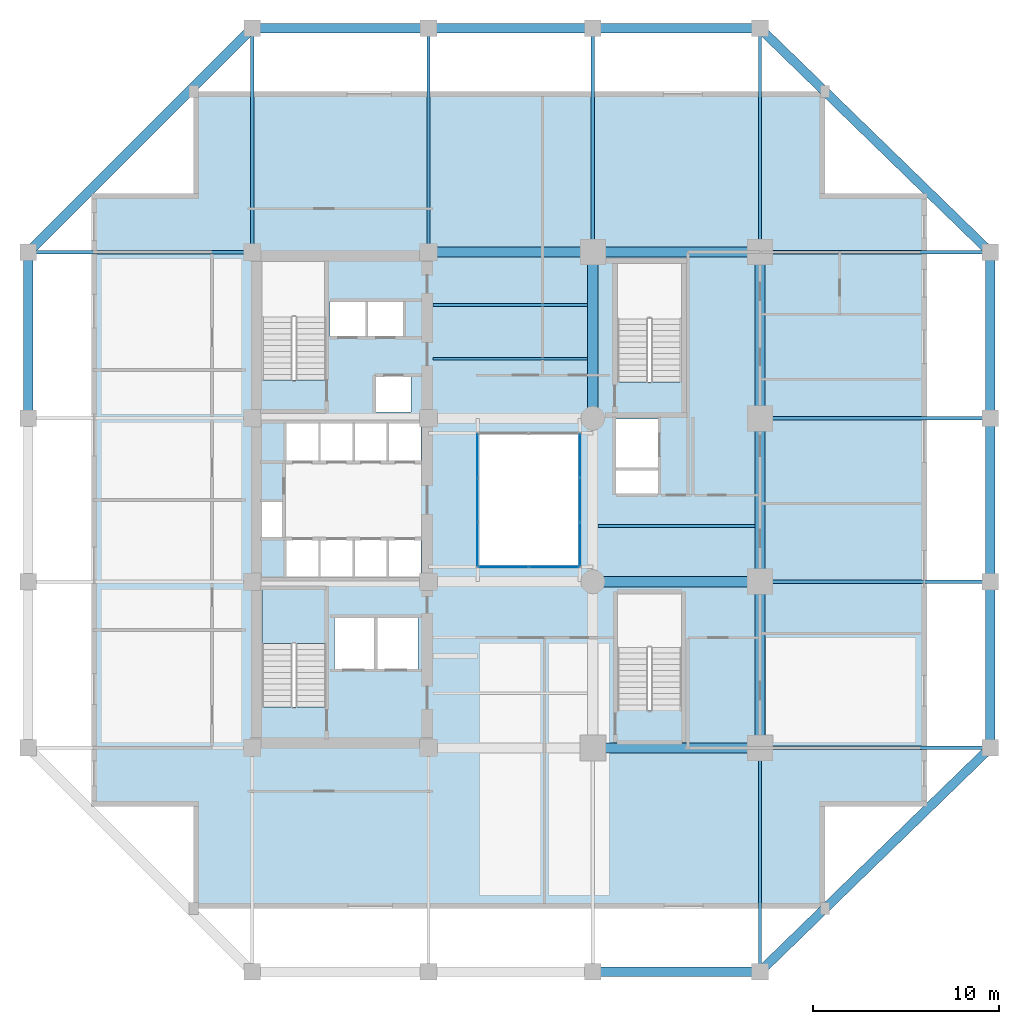
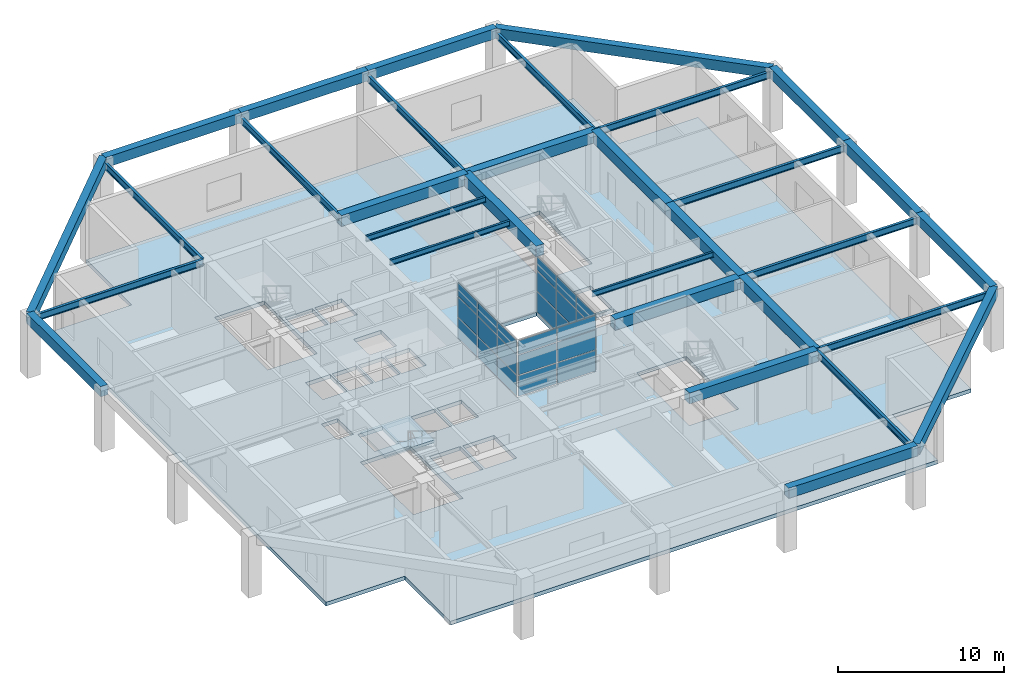
# One storey, part 5 of 13: 32 beams, 24 plates, 2 slabs, 4 elements without a shape of their own.
"""IFC4 building model written with IfcOpenShell, lengths in metres."""

from ifc_helpers import new_model, si_unit, direction, frame, origin, origin_2d, place, context, subcontext, project, spatial, polyline, rectangle, i_section, outline, extrude, material, layer, layer_set, material_profile, profile_set, type_object, element, aggregate, save


model = new_model("IFC4")

# Units and contexts
model_context = context("Model", 3, precision=1e-05, world=origin(), true_north=direction((0.0, 1.0)))
body_context = subcontext(model_context, "Body", "Model", "MODEL_VIEW")
ifc_project = project(units=[si_unit("LENGTHUNIT", "METRE"), si_unit("AREAUNIT", "SQUARE_METRE"), si_unit("VOLUMEUNIT", "CUBIC_METRE"), si_unit("PLANEANGLEUNIT", "RADIAN"), si_unit("MASSUNIT", "GRAM", prefix="KILO")], contexts=[model_context])

# Site, building, storey
site_placement = place(None, origin())
site = spatial("IfcSite", under=ifc_project, at=site_placement, CompositionType="ELEMENT")
building_placement = place(site_placement, origin())
building = spatial("IfcBuilding", under=site, at=building_placement, Name="Kundavana Baori Tower", CompositionType="ELEMENT")
storey_placement = place(building_placement, frame((0.0, 0.0, 17.0)))
storey = spatial("IfcBuildingStorey", under=building, at=storey_placement, Name="L03", CompositionType="ELEMENT", Elevation=17.0)

# Beams
ifc_material_1 = material(Name="Structural Steel S355JR", Category="steel")
ifc_material_profile_1 = material_profile(ifc_material_1, i_section(OverallWidth=0.139892578125, OverallDepth=0.39990234375, WebThickness=0.0087890625, FlangeThickness=0.01611328125, FilletRadius=0.013916015625, at=origin_2d()), Name="ISMB 400")
ifc_profile_set_1 = profile_set([ifc_material_profile_1], Name="Structural Steel S355JR")
beam_type_1 = type_object("IfcBeamType", Name="BM-JST-400", PredefinedType="JOIST", material=ifc_profile_set_1)
for number, where, z_axis, x_axis, name in (
    (1, (25.179931640625, 36.199951171875, 4.02001953125), (1.0, 0.0, 0.0), (0.0, 1.0, 0.0), "L03 Central Bay Composite Floor Joist C3"),
    (2, (25.179931640625, 39.10009765625, 4.02001953125), (1.0, 0.0, 0.0), (0.0, 1.0, 0.0), "L03 Central Bay Composite Floor Joist C4"),
):
    element("IfcBeam", number, at=place(storey_placement, frame(where, z_axis=z_axis, x_axis=x_axis)), inside=storey, type_object=beam_type_1, Name=name, PredefinedType="JOIST", context=body_context, shape_type="SweptSolid", body=[
        extrude(i_section(OverallWidth=0.139892578125, OverallDepth=0.39990234375, WebThickness=0.0087890625, FlangeThickness=0.01611328125, FilletRadius=0.013916015625, at=origin_2d()), origin(), (0.0, 0.0, 1.0), 8.344970703125),
    ])
beam_1_placement = place(storey_placement, frame((34.074951171875, 27.199951171875, 4.02001953125), z_axis=(1.0, 0.0, 0.0), x_axis=(0.0, 1.0, 0.0)))
element("IfcBeam", 3, at=beam_1_placement, inside=storey, type_object=beam_type_1, Name="L03 East Bay Composite Floor Joist E3", PredefinedType="JOIST", context=body_context, shape_type="SweptSolid", body=[
    extrude(i_section(OverallWidth=0.139892578125, OverallDepth=0.39990234375, WebThickness=0.0087890625, FlangeThickness=0.01611328125, FilletRadius=0.013916015625, at=origin_2d()), origin(), (0.0, 0.0, 1.0), 8.449951171875),
])
ifc_material_2 = material(Name="Concrete C50/60", Category="concrete")
ifc_material_profile_2 = material_profile(ifc_material_2, rectangle(XDim=0.5, YDim=0.75, at=origin_2d()), Name="RC BM 500x750")
ifc_profile_set_2 = profile_set([ifc_material_profile_2], Name="Concrete C50/60")
beam_type_2 = type_object("IfcBeamType", Name="BM-PF-750", PredefinedType="SPANDREL", material=ifc_profile_set_2)
beam_2_placement = place(storey_placement, frame((33.800048828125, 3.199951171875, 4.125), z_axis=(1.0, 0.0, 0.0), x_axis=(0.0, 1.0, 0.0)))
element("IfcBeam", 4, at=beam_2_placement, inside=storey, type_object=beam_type_2, Name="L03 Perimeter Frame Ring Beam S3", PredefinedType="SPANDREL", context=body_context, shape_type="SweptSolid", body=[
    extrude(rectangle(XDim=0.5, YDim=0.75, at=origin_2d()), origin(), (0.0, 0.0, 1.0), 9.0),
])
beam_3_placement = place(storey_placement, frame((15.449951171875, 54.0, 4.125), z_axis=(1.0, 0.0, 0.0), x_axis=(0.0, 1.0, 0.0)))
element("IfcBeam", 5, at=beam_3_placement, inside=storey, type_object=beam_type_2, Name="L03 Perimeter Frame Ring Beam N1", PredefinedType="SPANDREL", context=body_context, shape_type="SweptSolid", body=[
    extrude(rectangle(XDim=0.5, YDim=0.75, at=origin_2d()), origin(), (0.0, 0.0, 1.0), 9.5),
])
beam_4_placement = place(storey_placement, frame((24.949951171875, 54.0, 4.125), z_axis=(1.0, 0.0, 0.0), x_axis=(0.0, 1.0, 0.0)))
element("IfcBeam", 6, at=beam_4_placement, inside=storey, type_object=beam_type_2, Name="L03 Perimeter Frame Ring Beam N2", PredefinedType="SPANDREL", context=body_context, shape_type="SweptSolid", body=[
    extrude(rectangle(XDim=0.5, YDim=0.75, at=origin_2d()), origin(), (0.0, 0.0, 1.0), 8.85009765625),
])
beam_5_placement = place(storey_placement, frame((33.800048828125, 54.0, 4.125), z_axis=(1.0, 0.0, 0.0), x_axis=(0.0, 1.0, 0.0)))
element("IfcBeam", 7, at=beam_5_placement, inside=storey, type_object=beam_type_2, Name="L03 Perimeter Frame Ring Beam N3", PredefinedType="SPANDREL", context=body_context, shape_type="SweptSolid", body=[
    extrude(rectangle(XDim=0.5, YDim=0.75, at=origin_2d()), origin(), (0.0, 0.0, 1.0), 9.0),
])
for number, where, z_axis, x_axis, name in (
    (8, (3.39990234375, 33.0, 4.125), (0.0, 1.0, 0.0), (-1.0, 0.0, 0.0), "L03 Perimeter Frame Ring Beam W3"),
    (9, (55.199951171875, 15.25, 4.125), (0.0, 1.0, 0.0), (-1.0, 0.0, 0.0), "L03 Perimeter Frame Ring Beam E1"),
):
    element("IfcBeam", number, at=place(storey_placement, frame(where, z_axis=z_axis, x_axis=x_axis)), inside=storey, type_object=beam_type_2, Name=name, PredefinedType="SPANDREL", context=body_context, shape_type="SweptSolid", body=[
        extrude(rectangle(XDim=0.5, YDim=0.75, at=origin_2d()), origin(), (0.0, 0.0, 1.0), 8.949951171875),
    ])
beam_6_placement = place(storey_placement, frame((55.199951171875, 24.199951171875, 4.125), z_axis=(0.0, 1.0, 0.0), x_axis=(-1.0, 0.0, 0.0)))
element("IfcBeam", 10, at=beam_6_placement, inside=storey, type_object=beam_type_2, Name="L03 Perimeter Frame Ring Beam E2", PredefinedType="SPANDREL", context=body_context, shape_type="SweptSolid", body=[
    extrude(rectangle(XDim=0.5, YDim=0.75, at=origin_2d()), origin(), (0.0, 0.0, 1.0), 8.800048828125),
])
beam_7_placement = place(storey_placement, frame((55.199951171875, 33.0, 4.125), z_axis=(0.0, 1.0, 0.0), x_axis=(-1.0, 0.0, 0.0)))
element("IfcBeam", 11, at=beam_7_placement, inside=storey, type_object=beam_type_2, Name="L03 Perimeter Frame Ring Beam E3", PredefinedType="SPANDREL", context=body_context, shape_type="SweptSolid", body=[
    extrude(rectangle(XDim=0.5, YDim=0.75, at=origin_2d()), origin(), (0.0, 0.0, 1.0), 8.949951171875),
])
beam_8_placement = place(storey_placement, frame((42.800048828125, 3.199951171875, 4.125), z_axis=(0.717151334594, 0.696917472367, 0.0), x_axis=(-0.696917472367, 0.717151334594, 0.0)))
element("IfcBeam", 12, at=beam_8_placement, inside=storey, type_object=beam_type_2, Name="L03 Notched Corner Perimeter Beam SE", PredefinedType="SPANDREL", context=body_context, shape_type="SweptSolid", body=[
    extrude(rectangle(XDim=0.5, YDim=0.75, at=origin_2d()), origin(), (0.0, 0.0, 1.0), 17.29052734375),
])
beam_9_placement = place(storey_placement, frame((15.449951171875, 54.0, 4.125), z_axis=(-0.707106781187, -0.707106781187, 0.0), x_axis=(0.707106781187, -0.707106781187, 0.0)))
element("IfcBeam", 13, at=beam_9_placement, inside=storey, type_object=beam_type_2, Name="L03 Notched Corner Perimeter Beam NW", PredefinedType="SPANDREL", context=body_context, shape_type="SweptSolid", body=[
    extrude(rectangle(XDim=0.5, YDim=0.75, at=origin_2d()), origin(), (0.0, 0.0, 1.0), 17.041259765625),
])
beam_10_placement = place(storey_placement, frame((42.800048828125, 54.0, 4.125), z_axis=(0.717151334594, -0.696917472367, 0.0), x_axis=(0.696917472367, 0.717151334594, 0.0)))
element("IfcBeam", 14, at=beam_10_placement, inside=storey, type_object=beam_type_2, Name="L03 Notched Corner Perimeter Beam NE", PredefinedType="SPANDREL", context=body_context, shape_type="SweptSolid", body=[
    extrude(rectangle(XDim=0.5, YDim=0.75, at=origin_2d()), origin(), (0.0, 0.0, 1.0), 17.29052734375),
])
ifc_material_3 = material(Name="Concrete C50/60", Category="concrete")
ifc_material_profile_3 = material_profile(ifc_material_3, rectangle(XDim=0.550048828125, YDim=0.800048828125, at=origin_2d()), Name="RC BM 550x800")
ifc_profile_set_3 = profile_set([ifc_material_profile_3], Name="Concrete C50/60")
beam_type_3 = type_object("IfcBeamType", Name="BM-RC-800", PredefinedType="BEAM", material=ifc_profile_set_3)
for number, where, z_axis, x_axis, name in (
    (15, (33.800048828125, 15.25, 3.820068359375), (1.0, 0.0, 0.0), (0.0, 1.0, 0.0), "L03 Primary Grid Girder GX-1-3"),
    (16, (33.800048828125, 24.199951171875, 3.820068359375), (1.0, 0.0, 0.0), (0.0, 1.0, 0.0), "L03 Primary Grid Girder GX-2-3"),
):
    element("IfcBeam", number, at=place(storey_placement, frame(where, z_axis=z_axis, x_axis=x_axis)), inside=storey, type_object=beam_type_3, Name=name, PredefinedType="BEAM", context=body_context, shape_type="SweptSolid", body=[
        extrude(rectangle(XDim=0.550048828125, YDim=0.800048828125, at=origin_2d()), origin(), (0.0, 0.0, 1.0), 9.0),
    ])
beam_11_placement = place(storey_placement, frame((24.949951171875, 41.949951171875, 3.820068359375), z_axis=(1.0, 0.0, 0.0), x_axis=(0.0, 1.0, 0.0)))
element("IfcBeam", 17, at=beam_11_placement, inside=storey, type_object=beam_type_3, Name="L03 Primary Grid Girder GX-4-2", PredefinedType="BEAM", context=body_context, shape_type="SweptSolid", body=[
    extrude(rectangle(XDim=0.550048828125, YDim=0.800048828125, at=origin_2d()), origin(), (0.0, 0.0, 1.0), 8.85009765625),
])
beam_12_placement = place(storey_placement, frame((33.800048828125, 41.949951171875, 3.820068359375), z_axis=(1.0, 0.0, 0.0), x_axis=(0.0, 1.0, 0.0)))
element("IfcBeam", 18, at=beam_12_placement, inside=storey, type_object=beam_type_3, Name="L03 Primary Grid Girder GX-4-3", PredefinedType="BEAM", context=body_context, shape_type="SweptSolid", body=[
    extrude(rectangle(XDim=0.550048828125, YDim=0.800048828125, at=origin_2d()), origin(), (0.0, 0.0, 1.0), 9.0),
])
for number, where, z_axis, x_axis, name in (
    (19, (33.800048828125, 33.0, 3.820068359375), (0.0, 1.0, 0.0), (-1.0, 0.0, 0.0), "L03 Primary Grid Girder GY-3-3"),
    (20, (42.800048828125, 15.25, 3.820068359375), (0.0, 1.0, 0.0), (-1.0, 0.0, 0.0), "L03 Primary Grid Girder GY-4-1"),
):
    element("IfcBeam", number, at=place(storey_placement, frame(where, z_axis=z_axis, x_axis=x_axis)), inside=storey, type_object=beam_type_3, Name=name, PredefinedType="BEAM", context=body_context, shape_type="SweptSolid", body=[
        extrude(rectangle(XDim=0.550048828125, YDim=0.800048828125, at=origin_2d()), origin(), (0.0, 0.0, 1.0), 8.949951171875),
    ])
beam_13_placement = place(storey_placement, frame((42.800048828125, 24.199951171875, 3.820068359375), z_axis=(0.0, 1.0, 0.0), x_axis=(-1.0, 0.0, 0.0)))
element("IfcBeam", 21, at=beam_13_placement, inside=storey, type_object=beam_type_3, Name="L03 Primary Grid Girder GY-4-2", PredefinedType="BEAM", context=body_context, shape_type="SweptSolid", body=[
    extrude(rectangle(XDim=0.550048828125, YDim=0.800048828125, at=origin_2d()), origin(), (0.0, 0.0, 1.0), 8.800048828125),
])
beam_14_placement = place(storey_placement, frame((42.800048828125, 33.0, 3.820068359375), z_axis=(0.0, 1.0, 0.0), x_axis=(-1.0, 0.0, 0.0)))
element("IfcBeam", 22, at=beam_14_placement, inside=storey, type_object=beam_type_3, Name="L03 Primary Grid Girder GY-4-3", PredefinedType="BEAM", context=body_context, shape_type="SweptSolid", body=[
    extrude(rectangle(XDim=0.550048828125, YDim=0.800048828125, at=origin_2d()), origin(), (0.0, 0.0, 1.0), 8.949951171875),
])
ifc_material_4 = material(Name="Structural Steel S355JR", Category="steel")
ifc_material_profile_4 = material_profile(ifc_material_4, i_section(OverallWidth=0.179931640625, OverallDepth=0.5, WebThickness=0.01025390625, FlangeThickness=0.01708984375, FilletRadius=0.01708984375, at=origin_2d()), Name="ISMB 500")
ifc_profile_set_4 = profile_set([ifc_material_profile_4], Name="Structural Steel S355JR")
beam_type_4 = type_object("IfcBeamType", Name="BM-TIE-500", PredefinedType="BEAM", material=ifc_profile_set_4)
for number, where, z_axis, x_axis, name in (
    (23, (15.449951171875, 41.949951171875, 3.969970703125), (0.0, 1.0, 0.0), (-1.0, 0.0, 0.0), "L03 North Radial Loggia Tie Beam N1"),
    (24, (24.949951171875, 41.949951171875, 3.969970703125), (0.0, 1.0, 0.0), (-1.0, 0.0, 0.0), "L03 North Radial Loggia Tie Beam N2"),
    (25, (33.800048828125, 41.949951171875, 3.969970703125), (0.0, 1.0, 0.0), (-1.0, 0.0, 0.0), "L03 North Radial Loggia Tie Beam N3"),
    (26, (42.800048828125, 15.25, 3.969970703125), (0.0, -1.0, 0.0), (1.0, 0.0, 0.0), "L03 South Radial Loggia Tie Beam S4"),
    (27, (42.800048828125, 41.949951171875, 3.969970703125), (0.0, 1.0, 0.0), (-1.0, 0.0, 0.0), "L03 North Radial Loggia Tie Beam N4"),
):
    element("IfcBeam", number, at=place(storey_placement, frame(where, z_axis=z_axis, x_axis=x_axis)), inside=storey, type_object=beam_type_4, Name=name, PredefinedType="BEAM", context=body_context, shape_type="SweptSolid", body=[
        extrude(i_section(OverallWidth=0.179931640625, OverallDepth=0.5, WebThickness=0.01025390625, FlangeThickness=0.01708984375, FilletRadius=0.01708984375, at=origin_2d()), origin(), (0.0, 0.0, 1.0), 12.050048828125),
    ])
for number, where, z_axis, x_axis, name in (
    (28, (42.800048828125, 15.25, 3.969970703125), (1.0, 0.0, 0.0), (0.0, 1.0, 0.0), "L03 East Radial Loggia Tie Beam E1"),
    (29, (42.800048828125, 24.199951171875, 3.969970703125), (1.0, 0.0, 0.0), (0.0, 1.0, 0.0), "L03 East Radial Loggia Tie Beam E2"),
    (30, (42.800048828125, 33.0, 3.969970703125), (1.0, 0.0, 0.0), (0.0, 1.0, 0.0), "L03 East Radial Loggia Tie Beam E3"),
):
    element("IfcBeam", number, at=place(storey_placement, frame(where, z_axis=z_axis, x_axis=x_axis)), inside=storey, type_object=beam_type_4, Name=name, PredefinedType="BEAM", context=body_context, shape_type="SweptSolid", body=[
        extrude(i_section(OverallWidth=0.179931640625, OverallDepth=0.5, WebThickness=0.01025390625, FlangeThickness=0.01708984375, FilletRadius=0.01708984375, at=origin_2d()), origin(), (0.0, 0.0, 1.0), 12.39990234375),
    ])
beam_15_placement = place(storey_placement, frame((15.449951171875, 41.949951171875, 3.969970703125), z_axis=(-1.0, 0.0, 0.0), x_axis=(0.0, -1.0, 0.0)))
element("IfcBeam", 31, at=beam_15_placement, inside=storey, type_object=beam_type_4, Name="L03 West Radial Loggia Tie Beam W4", PredefinedType="BEAM", context=body_context, shape_type="SweptSolid", body=[
    extrude(i_section(OverallWidth=0.179931640625, OverallDepth=0.5, WebThickness=0.01025390625, FlangeThickness=0.01708984375, FilletRadius=0.01708984375, at=origin_2d()), origin(), (0.0, 0.0, 1.0), 12.050048828125),
])
beam_16_placement = place(storey_placement, frame((42.800048828125, 41.949951171875, 3.969970703125), z_axis=(1.0, 0.0, 0.0), x_axis=(0.0, 1.0, 0.0)))
element("IfcBeam", 32, at=beam_16_placement, inside=storey, type_object=beam_type_4, Name="L03 East Radial Loggia Tie Beam E4", PredefinedType="BEAM", context=body_context, shape_type="SweptSolid", body=[
    extrude(i_section(OverallWidth=0.179931640625, OverallDepth=0.5, WebThickness=0.01025390625, FlangeThickness=0.01708984375, FilletRadius=0.01708984375, at=origin_2d()), origin(), (0.0, 0.0, 1.0), 12.39990234375),
])

# Curtain wall, plates
ifc_material_5 = material(Name="Thermally Broken Anodised Aluminium Framing", Category="aluminium")
ifc_layer_1 = layer(ifc_material_5, 0.175048828125, Name="CW-SYS-2")
ifc_layer_set_1 = layer_set([ifc_layer_1], Name="Thermally Broken Anodised Aluminium Framing")
curtain_wall_type = type_object("IfcCurtainWallType", Name="CW-SYS-2", PredefinedType="NOTDEFINED", material=ifc_layer_set_1)
curtain_wall_1_placement = place(storey_placement, origin())
curtain_wall_1 = element("IfcCurtainWall", 33, at=curtain_wall_1_placement, inside=storey, type_object=curtain_wall_type, Name="L03 Atrium Glazed Curtain Wall S", PredefinedType="NOTDEFINED")
ifc_material_6 = material(Name="Double-Glazed Solar-Control Low-E Insulated Glass", Category="glass")
ifc_layer_2 = layer(ifc_material_6, 0.028076171875, Name="CW-PNL-GLS28")
ifc_layer_set_2 = layer_set([ifc_layer_2], Name="Double-Glazed Solar-Control Low-E Insulated Glass")
plate_type = type_object("IfcPlateType", Name="CW-PNL-GLS28", PredefinedType="CURTAIN_PANEL", material=ifc_layer_set_2)
plate_1_placement = place(storey_placement, frame((28.9912109375, 25.0, 0.06494140625), z_axis=(0.0, 0.0, 1.0), x_axis=(1.0, 0.0, 0.0)))
plate_1 = element("IfcPlate", 34, at=plate_1_placement, type_object=plate_type, Name="CW2 panel 1.1", PredefinedType="CURTAIN_PANEL", context=body_context, shape_type="SweptSolid", body=[
    extrude(rectangle(XDim=2.652587890625, YDim=0.028076171875, at=origin_2d()), origin(), (0.0, 0.0, 1.0), 1.506103515625),
])
plate_2_placement = place(storey_placement, frame((28.9912109375, 25.0, 1.63623046875), z_axis=(0.0, 0.0, 1.0), x_axis=(1.0, 0.0, 0.0)))
plate_2 = element("IfcPlate", 35, at=plate_2_placement, type_object=plate_type, Name="CW2 panel 1.2", PredefinedType="CURTAIN_PANEL", context=body_context, shape_type="SweptSolid", body=[
    extrude(rectangle(XDim=2.652587890625, YDim=0.028076171875, at=origin_2d()), origin(), (0.0, 0.0, 1.0), 1.4541015625),
])
plate_3_placement = place(storey_placement, frame((28.9912109375, 25.0, 3.1552734375), z_axis=(0.0, 0.0, 1.0), x_axis=(1.0, 0.0, 0.0)))
plate_3 = element("IfcPlate", 36, at=plate_3_placement, type_object=plate_type, Name="CW2 panel 1.3", PredefinedType="CURTAIN_PANEL", context=body_context, shape_type="SweptSolid", body=[
    extrude(rectangle(XDim=2.652587890625, YDim=0.028076171875, at=origin_2d()), origin(), (0.0, 0.0, 1.0), 0.999755859375),
])
plate_4_placement = place(storey_placement, frame((31.708740234375, 25.0, 0.06494140625), z_axis=(0.0, 0.0, 1.0), x_axis=(1.0, 0.0, 0.0)))
plate_4 = element("IfcPlate", 37, at=plate_4_placement, type_object=plate_type, Name="CW2 panel 2.1", PredefinedType="CURTAIN_PANEL", context=body_context, shape_type="SweptSolid", body=[
    extrude(rectangle(XDim=2.652587890625, YDim=0.028076171875, at=origin_2d()), origin(), (0.0, 0.0, 1.0), 1.506103515625),
])
plate_5_placement = place(storey_placement, frame((31.708740234375, 25.0, 1.63623046875), z_axis=(0.0, 0.0, 1.0), x_axis=(1.0, 0.0, 0.0)))
plate_5 = element("IfcPlate", 38, at=plate_5_placement, type_object=plate_type, Name="CW2 panel 2.2", PredefinedType="CURTAIN_PANEL", context=body_context, shape_type="SweptSolid", body=[
    extrude(rectangle(XDim=2.652587890625, YDim=0.028076171875, at=origin_2d()), origin(), (0.0, 0.0, 1.0), 1.4541015625),
])
plate_6_placement = place(storey_placement, frame((31.708740234375, 25.0, 3.1552734375), z_axis=(0.0, 0.0, 1.0), x_axis=(1.0, 0.0, 0.0)))
plate_6 = element("IfcPlate", 39, at=plate_6_placement, type_object=plate_type, Name="CW2 panel 2.3", PredefinedType="CURTAIN_PANEL", context=body_context, shape_type="SweptSolid", body=[
    extrude(rectangle(XDim=2.652587890625, YDim=0.028076171875, at=origin_2d()), origin(), (0.0, 0.0, 1.0), 0.999755859375),
])
aggregate(curtain_wall_1, [plate_1, plate_2, plate_3, plate_4, plate_5, plate_6])

curtain_wall_2_placement = place(storey_placement, origin())
curtain_wall_2 = element("IfcCurtainWall", 40, at=curtain_wall_2_placement, inside=storey, type_object=curtain_wall_type, Name="L03 Atrium Glazed Curtain Wall E", PredefinedType="NOTDEFINED")
plate_7_placement = place(storey_placement, frame((33.10009765625, 26.21630859375, 0.06494140625), z_axis=(0.0, 0.0, 1.0), x_axis=(0.0, 1.0, 0.0)))
plate_7 = element("IfcPlate", 41, at=plate_7_placement, type_object=plate_type, Name="CW2 panel 1.1", PredefinedType="CURTAIN_PANEL", context=body_context, shape_type="SweptSolid", body=[
    extrude(rectangle(XDim=2.302490234375, YDim=0.028076171875, at=origin_2d()), origin(), (0.0, 0.0, 1.0), 1.506103515625),
])
plate_8_placement = place(storey_placement, frame((33.10009765625, 26.21630859375, 1.63623046875), z_axis=(0.0, 0.0, 1.0), x_axis=(0.0, 1.0, 0.0)))
plate_8 = element("IfcPlate", 42, at=plate_8_placement, type_object=plate_type, Name="CW2 panel 1.2", PredefinedType="CURTAIN_PANEL", context=body_context, shape_type="SweptSolid", body=[
    extrude(rectangle(XDim=2.302490234375, YDim=0.028076171875, at=origin_2d()), origin(), (0.0, 0.0, 1.0), 1.4541015625),
])
plate_9_placement = place(storey_placement, frame((33.10009765625, 26.21630859375, 3.1552734375), z_axis=(0.0, 0.0, 1.0), x_axis=(0.0, 1.0, 0.0)))
plate_9 = element("IfcPlate", 43, at=plate_9_placement, type_object=plate_type, Name="CW2 panel 1.3", PredefinedType="CURTAIN_PANEL", context=body_context, shape_type="SweptSolid", body=[
    extrude(rectangle(XDim=2.302490234375, YDim=0.028076171875, at=origin_2d()), origin(), (0.0, 0.0, 1.0), 0.999755859375),
])
plate_10_placement = place(storey_placement, frame((33.10009765625, 28.60009765625, 0.06494140625), z_axis=(0.0, 0.0, 1.0), x_axis=(0.0, 1.0, 0.0)))
plate_10 = element("IfcPlate", 44, at=plate_10_placement, type_object=plate_type, Name="CW2 panel 2.1", PredefinedType="CURTAIN_PANEL", context=body_context, shape_type="SweptSolid", body=[
    extrude(rectangle(XDim=2.3349609375, YDim=0.028076171875, at=origin_2d()), origin(), (0.0, 0.0, 1.0), 1.506103515625),
])
plate_11_placement = place(storey_placement, frame((33.10009765625, 28.60009765625, 1.63623046875), z_axis=(0.0, 0.0, 1.0), x_axis=(0.0, 1.0, 0.0)))
plate_11 = element("IfcPlate", 45, at=plate_11_placement, type_object=plate_type, Name="CW2 panel 2.2", PredefinedType="CURTAIN_PANEL", context=body_context, shape_type="SweptSolid", body=[
    extrude(rectangle(XDim=2.3349609375, YDim=0.028076171875, at=origin_2d()), origin(), (0.0, 0.0, 1.0), 1.4541015625),
])
plate_12_placement = place(storey_placement, frame((33.10009765625, 28.60009765625, 3.1552734375), z_axis=(0.0, 0.0, 1.0), x_axis=(0.0, 1.0, 0.0)))
plate_12 = element("IfcPlate", 46, at=plate_12_placement, type_object=plate_type, Name="CW2 panel 2.3", PredefinedType="CURTAIN_PANEL", context=body_context, shape_type="SweptSolid", body=[
    extrude(rectangle(XDim=2.3349609375, YDim=0.028076171875, at=origin_2d()), origin(), (0.0, 0.0, 1.0), 0.999755859375),
])
plate_13_placement = place(storey_placement, frame((33.10009765625, 30.983642578125, 0.06494140625), z_axis=(0.0, 0.0, 1.0), x_axis=(0.0, 1.0, 0.0)))
plate_13 = element("IfcPlate", 47, at=plate_13_placement, type_object=plate_type, Name="CW2 panel 3.1", PredefinedType="CURTAIN_PANEL", context=body_context, shape_type="SweptSolid", body=[
    extrude(rectangle(XDim=2.302490234375, YDim=0.028076171875, at=origin_2d()), origin(), (0.0, 0.0, 1.0), 1.506103515625),
])
plate_14_placement = place(storey_placement, frame((33.10009765625, 30.983642578125, 1.63623046875), z_axis=(0.0, 0.0, 1.0), x_axis=(0.0, 1.0, 0.0)))
plate_14 = element("IfcPlate", 48, at=plate_14_placement, type_object=plate_type, Name="CW2 panel 3.2", PredefinedType="CURTAIN_PANEL", context=body_context, shape_type="SweptSolid", body=[
    extrude(rectangle(XDim=2.302490234375, YDim=0.028076171875, at=origin_2d()), origin(), (0.0, 0.0, 1.0), 1.4541015625),
])
plate_15_placement = place(storey_placement, frame((33.10009765625, 30.983642578125, 3.1552734375), z_axis=(0.0, 0.0, 1.0), x_axis=(0.0, 1.0, 0.0)))
plate_15 = element("IfcPlate", 49, at=plate_15_placement, type_object=plate_type, Name="CW2 panel 3.3", PredefinedType="CURTAIN_PANEL", context=body_context, shape_type="SweptSolid", body=[
    extrude(rectangle(XDim=2.302490234375, YDim=0.028076171875, at=origin_2d()), origin(), (0.0, 0.0, 1.0), 0.999755859375),
])
aggregate(curtain_wall_2, [plate_7, plate_8, plate_9, plate_10, plate_11, plate_12, plate_13, plate_14, plate_15])

curtain_wall_3_placement = place(storey_placement, origin())
curtain_wall_3 = element("IfcCurtainWall", 50, at=curtain_wall_3_placement, inside=storey, type_object=curtain_wall_type, Name="L03 Atrium Glazed Curtain Wall W", PredefinedType="NOTDEFINED")
plate_16_placement = place(storey_placement, frame((27.60009765625, 30.983642578125, 0.06494140625), z_axis=(0.0, 0.0, 1.0), x_axis=(0.0, -1.0, 0.0)))
plate_16 = element("IfcPlate", 51, at=plate_16_placement, type_object=plate_type, Name="CW2 panel 1.1", PredefinedType="CURTAIN_PANEL", context=body_context, shape_type="SweptSolid", body=[
    extrude(rectangle(XDim=2.302490234375, YDim=0.028076171875, at=origin_2d()), origin(), (0.0, 0.0, 1.0), 1.506103515625),
])
plate_17_placement = place(storey_placement, frame((27.60009765625, 30.983642578125, 1.63623046875), z_axis=(0.0, 0.0, 1.0), x_axis=(0.0, -1.0, 0.0)))
plate_17 = element("IfcPlate", 52, at=plate_17_placement, type_object=plate_type, Name="CW2 panel 1.2", PredefinedType="CURTAIN_PANEL", context=body_context, shape_type="SweptSolid", body=[
    extrude(rectangle(XDim=2.302490234375, YDim=0.028076171875, at=origin_2d()), origin(), (0.0, 0.0, 1.0), 1.4541015625),
])
plate_18_placement = place(storey_placement, frame((27.60009765625, 30.983642578125, 3.1552734375), z_axis=(0.0, 0.0, 1.0), x_axis=(0.0, -1.0, 0.0)))
plate_18 = element("IfcPlate", 53, at=plate_18_placement, type_object=plate_type, Name="CW2 panel 1.3", PredefinedType="CURTAIN_PANEL", context=body_context, shape_type="SweptSolid", body=[
    extrude(rectangle(XDim=2.302490234375, YDim=0.028076171875, at=origin_2d()), origin(), (0.0, 0.0, 1.0), 0.999755859375),
])
plate_19_placement = place(storey_placement, frame((27.60009765625, 28.60009765625, 0.06494140625), z_axis=(0.0, 0.0, 1.0), x_axis=(0.0, -1.0, 0.0)))
plate_19 = element("IfcPlate", 54, at=plate_19_placement, type_object=plate_type, Name="CW2 panel 2.1", PredefinedType="CURTAIN_PANEL", context=body_context, shape_type="SweptSolid", body=[
    extrude(rectangle(XDim=2.3349609375, YDim=0.028076171875, at=origin_2d()), origin(), (0.0, 0.0, 1.0), 1.506103515625),
])
plate_20_placement = place(storey_placement, frame((27.60009765625, 28.60009765625, 1.63623046875), z_axis=(0.0, 0.0, 1.0), x_axis=(0.0, -1.0, 0.0)))
plate_20 = element("IfcPlate", 55, at=plate_20_placement, type_object=plate_type, Name="CW2 panel 2.2", PredefinedType="CURTAIN_PANEL", context=body_context, shape_type="SweptSolid", body=[
    extrude(rectangle(XDim=2.3349609375, YDim=0.028076171875, at=origin_2d()), origin(), (0.0, 0.0, 1.0), 1.4541015625),
])
plate_21_placement = place(storey_placement, frame((27.60009765625, 28.60009765625, 3.1552734375), z_axis=(0.0, 0.0, 1.0), x_axis=(0.0, -1.0, 0.0)))
plate_21 = element("IfcPlate", 56, at=plate_21_placement, type_object=plate_type, Name="CW2 panel 2.3", PredefinedType="CURTAIN_PANEL", context=body_context, shape_type="SweptSolid", body=[
    extrude(rectangle(XDim=2.3349609375, YDim=0.028076171875, at=origin_2d()), origin(), (0.0, 0.0, 1.0), 0.999755859375),
])
plate_22_placement = place(storey_placement, frame((27.60009765625, 26.21630859375, 0.06494140625), z_axis=(0.0, 0.0, 1.0), x_axis=(0.0, -1.0, 0.0)))
plate_22 = element("IfcPlate", 57, at=plate_22_placement, type_object=plate_type, Name="CW2 panel 3.1", PredefinedType="CURTAIN_PANEL", context=body_context, shape_type="SweptSolid", body=[
    extrude(rectangle(XDim=2.302490234375, YDim=0.028076171875, at=origin_2d()), origin(), (0.0, 0.0, 1.0), 1.506103515625),
])
plate_23_placement = place(storey_placement, frame((27.60009765625, 26.21630859375, 1.63623046875), z_axis=(0.0, 0.0, 1.0), x_axis=(0.0, -1.0, 0.0)))
plate_23 = element("IfcPlate", 58, at=plate_23_placement, type_object=plate_type, Name="CW2 panel 3.2", PredefinedType="CURTAIN_PANEL", context=body_context, shape_type="SweptSolid", body=[
    extrude(rectangle(XDim=2.302490234375, YDim=0.028076171875, at=origin_2d()), origin(), (0.0, 0.0, 1.0), 1.4541015625),
])
plate_24_placement = place(storey_placement, frame((27.60009765625, 26.21630859375, 3.1552734375), z_axis=(0.0, 0.0, 1.0), x_axis=(0.0, -1.0, 0.0)))
plate_24 = element("IfcPlate", 59, at=plate_24_placement, type_object=plate_type, Name="CW2 panel 3.3", PredefinedType="CURTAIN_PANEL", context=body_context, shape_type="SweptSolid", body=[
    extrude(rectangle(XDim=2.302490234375, YDim=0.028076171875, at=origin_2d()), origin(), (0.0, 0.0, 1.0), 0.999755859375),
])
aggregate(curtain_wall_3, [plate_16, plate_17, plate_18, plate_19, plate_20, plate_21, plate_22, plate_23, plate_24])

# Slab
ifc_material_7 = material(Name="Concrete C40/50", Category="concrete")
ifc_layer_3 = layer(ifc_material_7, 0.280029296875, Name="SLB-FLR-280")
ifc_layer_set_3 = layer_set([ifc_layer_3], Name="Concrete C40/50")
slab_type_1 = type_object("IfcSlabType", Name="SLB-FLR-280", PredefinedType="FLOOR", material=ifc_layer_set_3)
slab_1_placement = place(storey_placement, frame((0.0, 0.0, -0.280029296875)))
element("IfcSlab", 60, at=slab_1_placement, inside=storey, type_object=slab_type_1, Name="L03 Structural Floor Slab", PredefinedType="FLOOR", context=body_context, shape_type="SweptSolid", body=[
    extrude(outline(polyline([(12.300048828125, 6.60009765625), (46.300048828125, 6.60009765625), (46.300048828125, 12.10009765625), (51.800048828125, 12.10009765625), (51.800048828125, 45.10009765625), (46.300048828125, 45.10009765625), (46.300048828125, 50.60009765625), (12.300048828125, 50.60009765625), (12.300048828125, 45.10009765625), (6.800048828125, 45.10009765625), (6.800048828125, 12.10009765625), (12.300048828125, 12.10009765625), (12.300048828125, 6.60009765625)]), holes=[polyline([(19.43994140625, 17.4619140625), (19.43994140625, 23.85009765625), (15.97998046875, 23.85009765625), (15.97998046875, 17.4619140625), (19.43994140625, 17.4619140625)]), polyline([(19.43994140625, 35.06201171875), (19.43994140625, 41.449951171875), (15.97998046875, 41.449951171875), (15.97998046875, 35.06201171875), (19.43994140625, 35.06201171875)]), polyline([(38.580078125, 34.9619140625), (38.580078125, 41.35009765625), (35.1201171875, 41.35009765625), (35.1201171875, 34.9619140625), (38.580078125, 34.9619140625)]), polyline([(38.580078125, 17.261962890625), (38.580078125, 23.64990234375), (35.1201171875, 23.64990234375), (35.1201171875, 17.261962890625), (38.580078125, 17.261962890625)]), polyline([(17.300048828125, 24.39990234375), (19.02001953125, 24.39990234375), (19.02001953125, 26.449951171875), (17.300048828125, 26.449951171875), (17.300048828125, 24.39990234375)]), polyline([(19.139892578125, 24.39990234375), (20.860107421875, 24.39990234375), (20.860107421875, 26.449951171875), (19.139892578125, 26.449951171875), (19.139892578125, 24.39990234375)]), polyline([(20.97998046875, 24.39990234375), (22.699951171875, 24.39990234375), (22.699951171875, 26.449951171875), (20.97998046875, 26.449951171875), (20.97998046875, 24.39990234375)]), polyline([(22.820068359375, 24.39990234375), (24.5400390625, 24.39990234375), (24.5400390625, 26.449951171875), (22.820068359375, 26.449951171875), (22.820068359375, 24.39990234375)]), polyline([(17.300048828125, 30.699951171875), (19.02001953125, 30.699951171875), (19.02001953125, 32.75), (17.300048828125, 32.75), (17.300048828125, 30.699951171875)]), polyline([(19.139892578125, 30.699951171875), (20.860107421875, 30.699951171875), (20.860107421875, 32.75), (19.139892578125, 32.75), (19.139892578125, 30.699951171875)]), polyline([(20.97998046875, 30.699951171875), (22.699951171875, 30.699951171875), (22.699951171875, 32.75), (20.97998046875, 32.75), (20.97998046875, 30.699951171875)]), polyline([(22.820068359375, 30.699951171875), (24.5400390625, 30.699951171875), (24.5400390625, 32.75), (22.820068359375, 32.75), (22.820068359375, 30.699951171875)]), polyline([(19.64990234375, 37.39990234375), (21.550048828125, 37.39990234375), (21.550048828125, 39.300048828125), (19.64990234375, 39.300048828125), (19.64990234375, 37.39990234375)]), polyline([(21.699951171875, 37.39990234375), (23.60009765625, 37.39990234375), (23.60009765625, 39.300048828125), (21.699951171875, 39.300048828125), (21.699951171875, 37.39990234375)]), polyline([(22.10009765625, 33.35009765625), (24.0, 33.35009765625), (24.0, 35.25), (22.10009765625, 35.25), (22.10009765625, 33.35009765625)]), polyline([(19.8798828125, 19.5), (22.02001953125, 19.5), (22.02001953125, 22.25), (19.8798828125, 22.25), (19.8798828125, 19.5)]), polyline([(22.179931640625, 19.5), (24.3798828125, 19.5), (24.3798828125, 22.25), (22.179931640625, 22.25), (22.179931640625, 19.5)]), polyline([(35.050048828125, 30.35009765625), (37.300048828125, 30.35009765625), (37.300048828125, 32.949951171875), (35.050048828125, 32.949951171875), (35.050048828125, 30.35009765625)]), polyline([(15.949951171875, 26.60009765625), (17.080078125, 26.60009765625), (17.080078125, 28.5), (15.949951171875, 28.5), (15.949951171875, 26.60009765625)]), polyline([(35.050048828125, 28.949951171875), (37.300048828125, 28.949951171875), (37.300048828125, 30.199951171875), (35.050048828125, 30.199951171875), (35.050048828125, 28.949951171875)]), polyline([(27.60009765625, 25.0), (33.10009765625, 25.0), (33.10009765625, 32.199951171875), (27.60009765625, 32.199951171875), (27.60009765625, 25.0)])]), origin(), (0.0, 0.0, 1.0), 0.280029296875),
])

# Stair, slab
ifc_material_8 = material(Name="Concrete C40/50", Category="concrete")
stair_type = type_object("IfcStairType", Name="STR-DOG-1650", PredefinedType="HALF_TURN_STAIR", material=ifc_material_8)
stair_placement = place(storey_placement, origin())
stair = element("IfcStair", 61, at=stair_placement, inside=storey, type_object=stair_type, Name="L03 Protected Exit Stair ST1", PredefinedType="HALF_TURN_STAIR")
ifc_material_9 = material(Name="Concrete C40/50", Category="concrete")
ifc_layer_4 = layer(ifc_material_9, 0.199951171875, Name="SLB-LND-200")
ifc_layer_set_4 = layer_set([ifc_layer_4], Name="Concrete C40/50")
slab_type_2 = type_object("IfcSlabType", Name="SLB-LND-200", PredefinedType="LANDING", material=ifc_layer_set_4)
slab_2_placement = place(storey_placement, frame((0.0, 0.0, 2.050048828125)))
slab_2 = element("IfcSlab", 62, at=slab_2_placement, type_object=slab_type_2, Name="ST1 landing 1", PredefinedType="LANDING", context=body_context, shape_type="SweptSolid", body=[
    extrude(outline(polyline([(19.43994140625, 20.860107421875), (19.43994140625, 23.85009765625), (15.97998046875, 23.85009765625), (15.97998046875, 20.860107421875), (19.43994140625, 20.860107421875)])), origin(), (0.0, 0.0, 1.0), 0.199951171875),
])
aggregate(stair, [slab_2])

save(model, "model.ifc")
